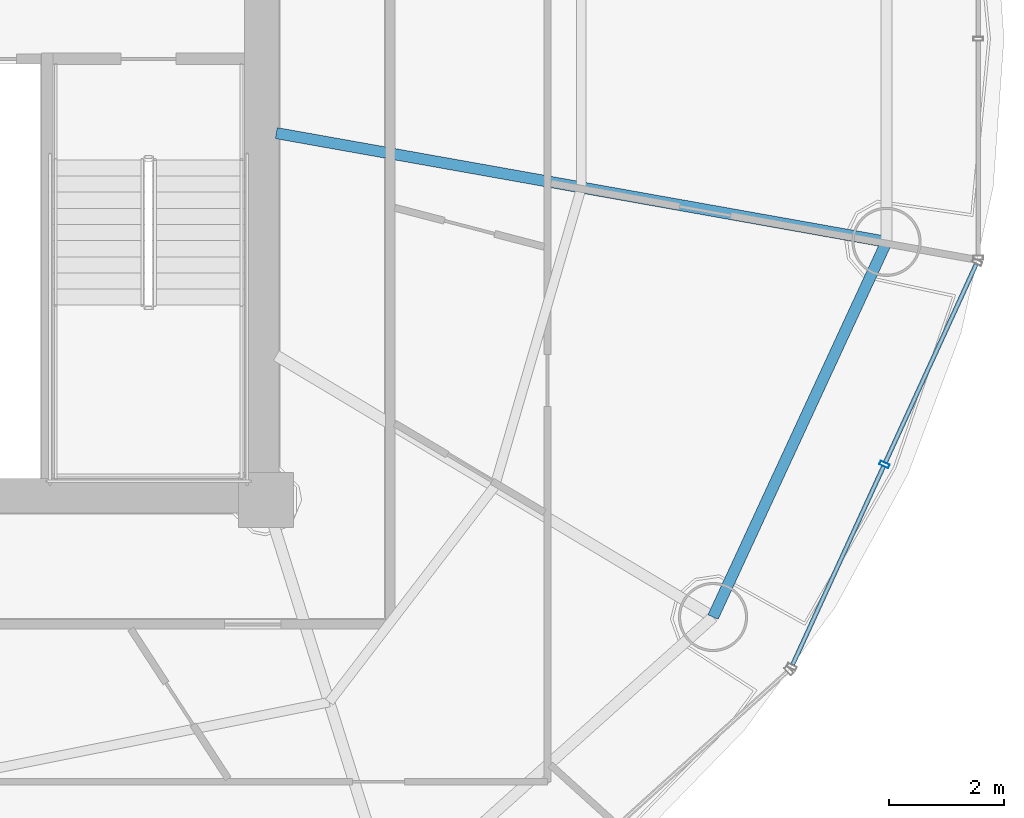
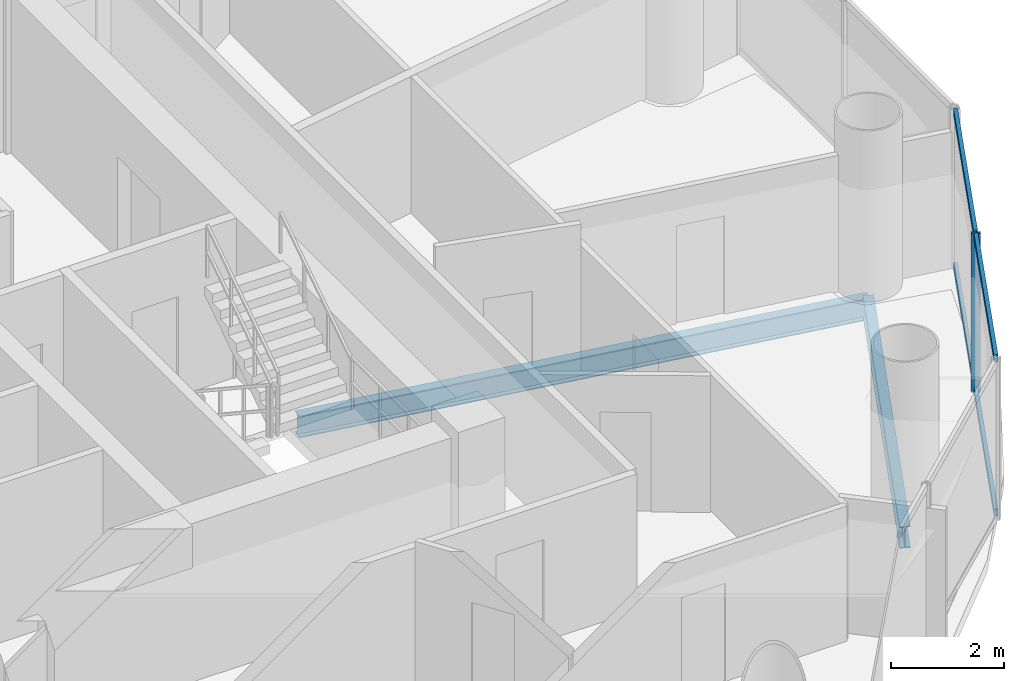
# One storey, part 11 of 27: 5 members, 2 beams, 1 element without a shape of its own.
"""IFC4 building model written with IfcOpenShell, lengths in metres."""

from ifc_helpers import new_model, si_unit, direction, frame, origin, origin_2d, place, context, subcontext, project, spatial, hollow_rectangle, i_section, extrude, source, transform, mapped, material, material_profile, profile_set, type_object, element, aggregate, save


model = new_model("IFC4")

# Units and contexts
model_context = context("Model", 3, precision=1e-05, world=origin(), true_north=direction((-0.2419218956, 0.970295726276)))
body_context = subcontext(model_context, "Body", "Model", "MODEL_VIEW")
ifc_project = project(units=[si_unit("LENGTHUNIT", "METRE"), si_unit("AREAUNIT", "SQUARE_METRE"), si_unit("VOLUMEUNIT", "CUBIC_METRE"), si_unit("PLANEANGLEUNIT", "RADIAN"), si_unit("MASSUNIT", "GRAM", prefix="KILO")], contexts=[model_context])

# Site, building, storey
site_placement = place(None, origin())
site = spatial("IfcSite", under=ifc_project, at=site_placement, CompositionType="ELEMENT")
building_placement = place(site_placement, origin())
building = spatial("IfcBuilding", under=site, at=building_placement, Name="Cobrevalo Terracotta Tower", CompositionType="ELEMENT")
storey_placement = place(building_placement, frame((0.0, 0.0, 191.199951171875)))
storey = spatial("IfcBuildingStorey", under=building, at=storey_placement, Name="L50", CompositionType="ELEMENT", Elevation=191.199951171875)

# Beams
ifc_material_1 = material(Name="Steel S355", Category="steel")
ifc_material_profile_1 = material_profile(ifc_material_1, i_section(OverallWidth=0.194091796875, OverallDepth=0.468994140625, WebThickness=0.011474609375, FlangeThickness=0.0205078125, at=origin_2d()), Name="W 460x106")
ifc_profile_set_1 = profile_set([ifc_material_profile_1], Name="Steel S355")
beam_type_1 = type_object("IfcBeamType", Name="Structural Beam W 460x106 (Steel S355)", PredefinedType="BEAM", material=ifc_profile_set_1)
beam_1_placement = place(storey_placement, frame((57.762939453125, 23.278564453125, -0.49951171875), z_axis=(-0.984493198547, 0.175422752274, 0.0), x_axis=(-0.175422752274, -0.984493198547, 0.0)))
element("IfcBeam", 1, at=beam_1_placement, inside=storey, type_object=beam_type_1, Name="L50 radial floor girder 16", PredefinedType="BEAM", context=body_context, shape_type="SweptSolid", body=[
    extrude(i_section(OverallWidth=0.194091796875, OverallDepth=0.468994140625, WebThickness=0.011474609375, FlangeThickness=0.0205078125, at=origin_2d()), origin(), (0.0, 0.0, 1.0), 10.749755859375),
])
ifc_material_profile_2 = material_profile(ifc_material_1, i_section(OverallWidth=0.194091796875, OverallDepth=0.468994140625, WebThickness=0.011474609375, FlangeThickness=0.0205078125, at=origin_2d()), Name="W 460x106")
ifc_profile_set_2 = profile_set([ifc_material_profile_2], Name="Steel S355")
beam_type_2 = type_object("IfcBeamType", Name="Structural Spandrel W 460x106 (Steel S355)", PredefinedType="SPANDREL", material=ifc_profile_set_2)
beam_2_placement = place(storey_placement, frame((54.754150390625, 16.77197265625, -0.49951171875), z_axis=(0.419718939129, 0.90765412583, 0.0), x_axis=(-0.90765412583, 0.419718939129, 0.0)))
element("IfcBeam", 2, at=beam_2_placement, inside=storey, type_object=beam_type_2, Name="L50 perimeter ring spandrel 15", PredefinedType="SPANDREL", context=body_context, shape_type="SweptSolid", body=[
    extrude(i_section(OverallWidth=0.194091796875, OverallDepth=0.468994140625, WebThickness=0.011474609375, FlangeThickness=0.0205078125, at=origin_2d()), origin(), (0.0, 0.0, 1.0), 7.168701171875),
])

# Curtain wall, members
ifc_material_2 = material(Name="Anodized aluminium", Category="aluminium")
curtain_wall_type = type_object("IfcCurtainWallType", Name="Mid-tower high-wind unitised curtain wall CW-U2", PredefinedType="NOTDEFINED", material=ifc_material_2)
curtain_wall_placement = place(storey_placement, origin())
curtain_wall = element("IfcCurtainWall", 3, at=curtain_wall_placement, inside=storey, type_object=curtain_wall_type, Name="L50 curtain wall CW-L50-S15", PredefinedType="NOTDEFINED")
ifc_material_profile_3 = material_profile(ifc_material_2, hollow_rectangle(XDim=0.074951171875, YDim=0.14990234375, WallThickness=0.00439453125, at=origin_2d()), Name="CWT 75x150")
ifc_profile_set_3 = profile_set([ifc_material_profile_3], Name="Anodized aluminium")
member_type_1 = type_object("IfcMemberType", Name="Tower unitised aluminium transom 75x150", PredefinedType="USERDEFINED", material=ifc_profile_set_3)
shared_shape_1 = source(origin(), body_context, "Body", "SweptSolid", [
    extrude(hollow_rectangle(XDim=0.074951171875, YDim=0.14990234375, WallThickness=0.00439453125, at=origin_2d()), origin(), (0.0, 0.0, 1.0), 3.780029296875),
])
member_1_placement = place(storey_placement, frame((56.134521484375, 15.944580078125, 0.050048828125), z_axis=(0.416705859352, 0.909041377926, 0.0), x_axis=(-0.909041377926, 0.416705859352, 0.0)))
member_1 = element("IfcMember", 4, at=member_1_placement, type_object=member_type_1, Name="CW-L50-S15 transom B01-T1", ObjectType="TRANSOM", PredefinedType="USERDEFINED", context=body_context, shape_type="MappedRepresentation", body=[
    mapped(shared_shape_1, transform((0.0, 0.0, 0.0), scale=1.0)),
])
member_2_placement = place(storey_placement, frame((56.134521484375, 15.944580078125, 3.385009765625), z_axis=(0.416705859352, 0.909041377926, 0.0), x_axis=(-0.909041377926, 0.416705859352, 0.0)))
member_2 = element("IfcMember", 5, at=member_2_placement, type_object=member_type_1, Name="CW-L50-S15 transom B01-T2", ObjectType="TRANSOM", PredefinedType="USERDEFINED", context=body_context, shape_type="MappedRepresentation", body=[
    mapped(shared_shape_1, transform((0.0, 0.0, 0.0), scale=1.0)),
])
member_3_placement = place(storey_placement, frame((57.7431640625, 19.45361328125, 0.050048828125), z_axis=(0.416705859352, 0.909041377926, 0.0), x_axis=(-0.909041377926, 0.416705859352, 0.0)))
member_3 = element("IfcMember", 6, at=member_3_placement, type_object=member_type_1, Name="CW-L50-S15 transom B02-T1", ObjectType="TRANSOM", PredefinedType="USERDEFINED", context=body_context, shape_type="MappedRepresentation", body=[
    mapped(shared_shape_1, transform((0.0, 0.0, 0.0), scale=1.0)),
])
member_4_placement = place(storey_placement, frame((57.7431640625, 19.45361328125, 3.385009765625), z_axis=(0.416705859352, 0.909041377926, 0.0), x_axis=(-0.909041377926, 0.416705859352, 0.0)))
member_4 = element("IfcMember", 7, at=member_4_placement, type_object=member_type_1, Name="CW-L50-S15 transom B02-T2", ObjectType="TRANSOM", PredefinedType="USERDEFINED", context=body_context, shape_type="MappedRepresentation", body=[
    mapped(shared_shape_1, transform((0.0, 0.0, 0.0), scale=1.0)),
])
ifc_material_profile_4 = material_profile(ifc_material_2, hollow_rectangle(XDim=0.070068359375, YDim=0.169921875, WallThickness=0.00439453125, at=origin_2d()), Name="CWM 70x170")
ifc_profile_set_4 = profile_set([ifc_material_profile_4], Name="Anodized aluminium")
member_type_2 = type_object("IfcMemberType", Name="Upper tower unitised mullion 70x170", PredefinedType="MULLION", material=ifc_profile_set_4)
shared_shape_2 = source(origin(), body_context, "Body", "SweptSolid", [
    extrude(hollow_rectangle(XDim=0.070068359375, YDim=0.169921875, WallThickness=0.00439453125, at=origin_2d()), origin(), (0.0, 0.0, 1.0), 3.43505859375),
])
member_5_placement = place(storey_placement, frame((57.726318359375, 19.417236328125, 0.0), z_axis=(0.0, 0.0, 1.0), x_axis=(0.41672507912, 0.909032567311, 0.0)))
member_5 = element("IfcMember", 8, at=member_5_placement, type_object=member_type_2, Name="CW-L50-S15 vertical mullion 02", PredefinedType="MULLION", context=body_context, shape_type="MappedRepresentation", body=[
    mapped(shared_shape_2, transform((0.0, 0.0, 0.0), scale=1.0)),
])
aggregate(curtain_wall, [member_5, member_1, member_2, member_3, member_4])

save(model, "model.ifc")
